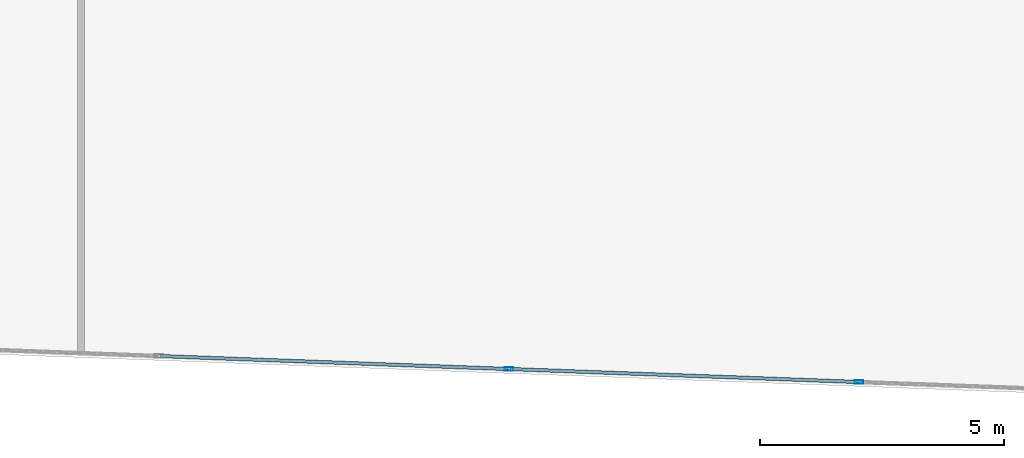
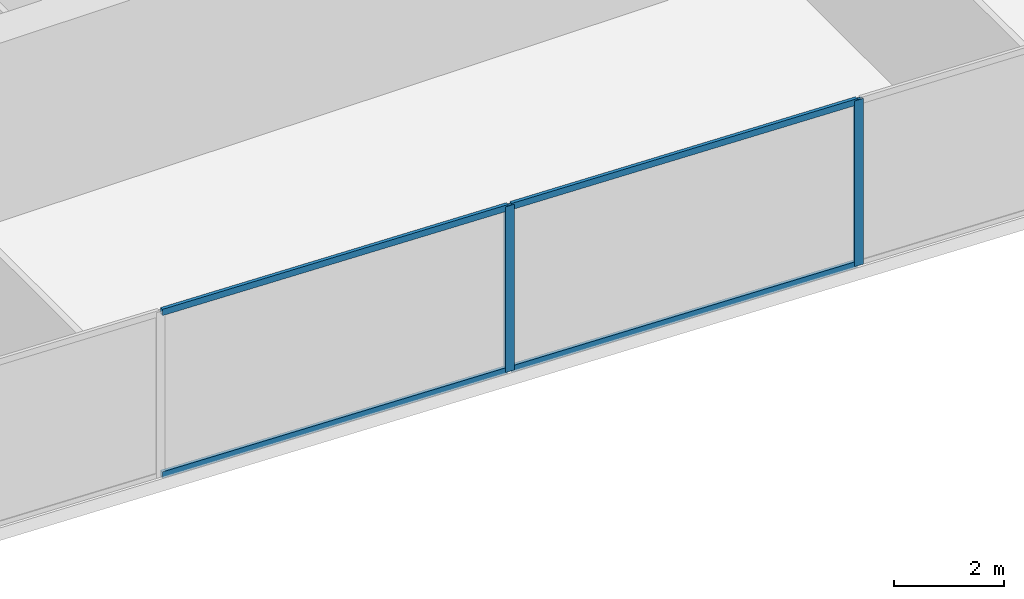
# One storey, part 6 of 30: 6 members, 1 element without a shape of its own.
"""IFC4 building model written with IfcOpenShell, lengths in metres."""

from ifc_helpers import new_model, si_unit, direction, frame, origin, origin_2d, place, context, subcontext, project, spatial, hollow_rectangle, extrude, source, transform, mapped, material, material_profile, profile_set, type_object, type_shapes, element, aggregate, save


model = new_model("IFC4")

# Units and contexts
model_context = context("Model", 3, precision=1e-05, world=origin(), true_north=direction((0.0, 1.0)))
body_context = subcontext(model_context, "Body", "Model", "MODEL_VIEW")
ifc_project = project(units=[si_unit("LENGTHUNIT", "METRE"), si_unit("AREAUNIT", "SQUARE_METRE"), si_unit("VOLUMEUNIT", "CUBIC_METRE"), si_unit("PLANEANGLEUNIT", "RADIAN"), si_unit("MASSUNIT", "GRAM", prefix="KILO")], contexts=[model_context])

# Site, building, storey
site_placement = place(None, origin())
site = spatial("IfcSite", under=ifc_project, at=site_placement, CompositionType="ELEMENT")
building_placement = place(site_placement, origin())
building = spatial("IfcBuilding", under=site, at=building_placement, Name="Krantzveldt Concourse Tower", CompositionType="ELEMENT")
storey_placement = place(building_placement, frame((0.0, 0.0, 44.75)))
storey = spatial("IfcBuildingStorey", under=building, at=storey_placement, Name="L10", CompositionType="ELEMENT", Elevation=44.75)

# Curtain wall, members
ifc_material = material(Name="Anodised aluminium 6063-T6", Category="aluminium")
curtain_wall_type = type_object("IfcCurtainWallType", Name="CW2", PredefinedType="USERDEFINED", material=ifc_material)
curtain_wall_placement = place(storey_placement, origin())
curtain_wall = element("IfcCurtainWall", 1, at=curtain_wall_placement, inside=storey, type_object=curtain_wall_type, Name="CW-L10-F04", ObjectType="UNITISED CURTAIN WALL", PredefinedType="USERDEFINED")
ifc_material_profile_1 = material_profile(ifc_material, hollow_rectangle(XDim=0.070068359375, YDim=0.179931640625, WallThickness=0.0048828125, at=origin_2d()), Name="Anodised aluminium 6063-T6", Category="aluminium")
ifc_profile_set_1 = profile_set([ifc_material_profile_1], Name="Anodised aluminium 6063-T6 - ALU-MULL 180x70x5")
member_type_1 = type_object("IfcMemberType", Name="CW-MUL-180", PredefinedType="MULLION", material=ifc_profile_set_1)
shared_shape_1 = source(origin(), body_context, "Body", "SweptSolid", [
    extrude(hollow_rectangle(XDim=0.070068359375, YDim=0.179931640625, WallThickness=0.0048828125, at=origin_2d()), origin(), (0.0, 0.0, 1.0), 3.669921875),
])
type_shapes(member_type_1, [shared_shape_1])
member_1_placement = place(storey_placement, frame((35.076416015625, 1.80712890625, 0.0), z_axis=(0.0, 0.0, 1.0), x_axis=(0.037079766834, 0.999312308986, 0.0)))
member_1 = element("IfcMember", 2, at=member_1_placement, type_object=member_type_1, Name="CW-Z12 mullion 4", PredefinedType="MULLION", context=body_context, shape_type="MappedRepresentation", body=[
    mapped(shared_shape_1, transform((0.0, 0.0, 0.0), x_axis=(1.0, 0.0, 0.0), y_axis=(0.0, 1.0, 0.0), z_axis=(0.0, 0.0, 1.0), scale=1.0)),
])
member_2_placement = place(storey_placement, frame((42.238037109375, 1.54150390625, 0.0), z_axis=(0.0, 0.0, 1.0), x_axis=(0.037079766834, 0.999312308986, 0.0)))
member_2 = element("IfcMember", 3, at=member_2_placement, type_object=member_type_1, Name="CW-Z12 mullion 5", PredefinedType="MULLION", context=body_context, shape_type="MappedRepresentation", body=[
    mapped(shared_shape_1, transform((0.0, 0.0, 0.0), x_axis=(1.0, 0.0, 0.0), y_axis=(0.0, 1.0, 0.0), z_axis=(0.0, 0.0, 1.0), scale=1.0)),
])
ifc_material_profile_2 = material_profile(ifc_material, hollow_rectangle(XDim=0.070068359375, YDim=0.139892578125, WallThickness=0.0048828125, at=origin_2d()), Name="Anodised aluminium 6063-T6", Category="aluminium")
ifc_profile_set_2 = profile_set([ifc_material_profile_2], Name="Anodised aluminium 6063-T6 - ALU-TRAN 140x70x5")
member_type_2 = type_object("IfcMemberType", Name="CW-TRN-150", PredefinedType="USERDEFINED", material=ifc_profile_set_2)
shared_shape_2 = source(origin(), body_context, "Body", "SweptSolid", [
    extrude(hollow_rectangle(XDim=0.070068359375, YDim=0.139892578125, WallThickness=0.0048828125, at=origin_2d()), origin(), (0.0, 0.0, 1.0), 7.0966796875),
])
type_shapes(member_type_2, [shared_shape_2])
member_3_placement = place(storey_placement, frame((27.949462890625, 2.071533203125, 0.034912109375), z_axis=(0.999312097724, -0.037085459975, 0.0), x_axis=(0.037085459975, 0.999312097724, 0.0)))
member_3 = element("IfcMember", 4, at=member_3_placement, type_object=member_type_2, Name="CW-Z12 transom 3.1", ObjectType="TRANSOM", PredefinedType="USERDEFINED", context=body_context, shape_type="MappedRepresentation", body=[
    mapped(shared_shape_2, transform((0.0, 0.0, 0.0), x_axis=(1.0, 0.0, 0.0), y_axis=(0.0, 1.0, 0.0), z_axis=(0.0, 0.0, 1.0), scale=1.0)),
])
member_4_placement = place(storey_placement, frame((27.949462890625, 2.071533203125, 3.635009765625), z_axis=(0.999312097724, -0.037085459975, 0.0), x_axis=(0.037085459975, 0.999312097724, 0.0)))
member_4 = element("IfcMember", 5, at=member_4_placement, type_object=member_type_2, Name="CW-Z12 transom 3.2", ObjectType="TRANSOM", PredefinedType="USERDEFINED", context=body_context, shape_type="MappedRepresentation", body=[
    mapped(shared_shape_2, transform((0.0, 0.0, 0.0), x_axis=(1.0, 0.0, 0.0), y_axis=(0.0, 1.0, 0.0), z_axis=(0.0, 0.0, 1.0), scale=1.0)),
])
member_5_placement = place(storey_placement, frame((35.111328125, 1.805908203125, 0.034912109375), z_axis=(0.999312097724, -0.037085459975, 0.0), x_axis=(0.037085459975, 0.999312097724, 0.0)))
member_5 = element("IfcMember", 6, at=member_5_placement, type_object=member_type_2, Name="CW-Z12 transom 4.1", ObjectType="TRANSOM", PredefinedType="USERDEFINED", context=body_context, shape_type="MappedRepresentation", body=[
    mapped(shared_shape_2, transform((0.0, 0.0, 0.0), x_axis=(1.0, 0.0, 0.0), y_axis=(0.0, 1.0, 0.0), z_axis=(0.0, 0.0, 1.0), scale=1.0)),
])
member_6_placement = place(storey_placement, frame((35.111328125, 1.805908203125, 3.635009765625), z_axis=(0.999312097724, -0.037085459975, 0.0), x_axis=(0.037085459975, 0.999312097724, 0.0)))
member_6 = element("IfcMember", 7, at=member_6_placement, type_object=member_type_2, Name="CW-Z12 transom 4.2", ObjectType="TRANSOM", PredefinedType="USERDEFINED", context=body_context, shape_type="MappedRepresentation", body=[
    mapped(shared_shape_2, transform((0.0, 0.0, 0.0), x_axis=(1.0, 0.0, 0.0), y_axis=(0.0, 1.0, 0.0), z_axis=(0.0, 0.0, 1.0), scale=1.0)),
])
aggregate(curtain_wall, [member_1, member_2, member_3, member_4, member_5, member_6])

save(model, "model.ifc")
